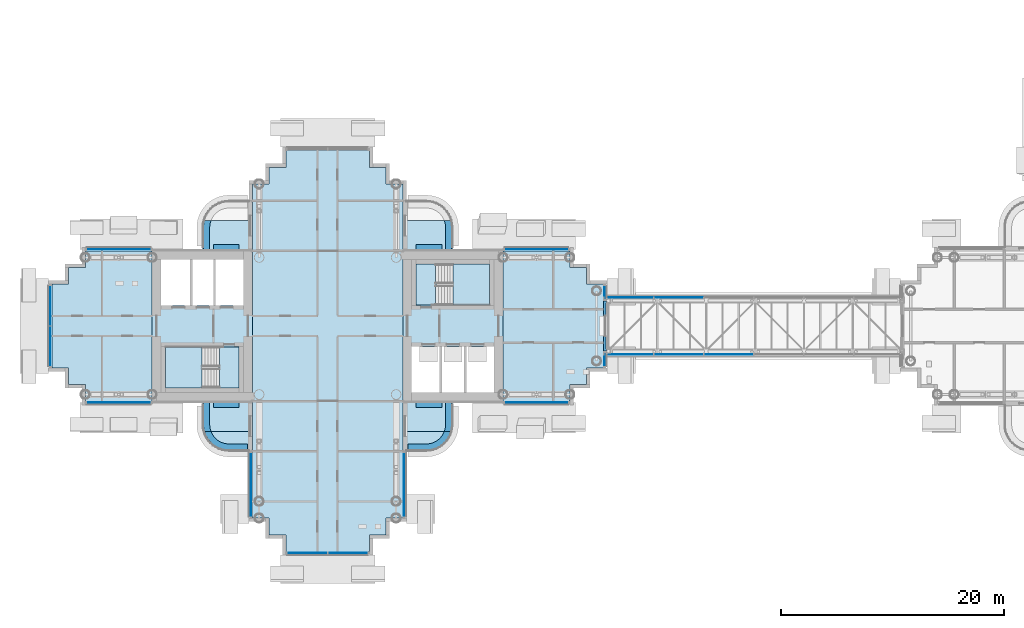
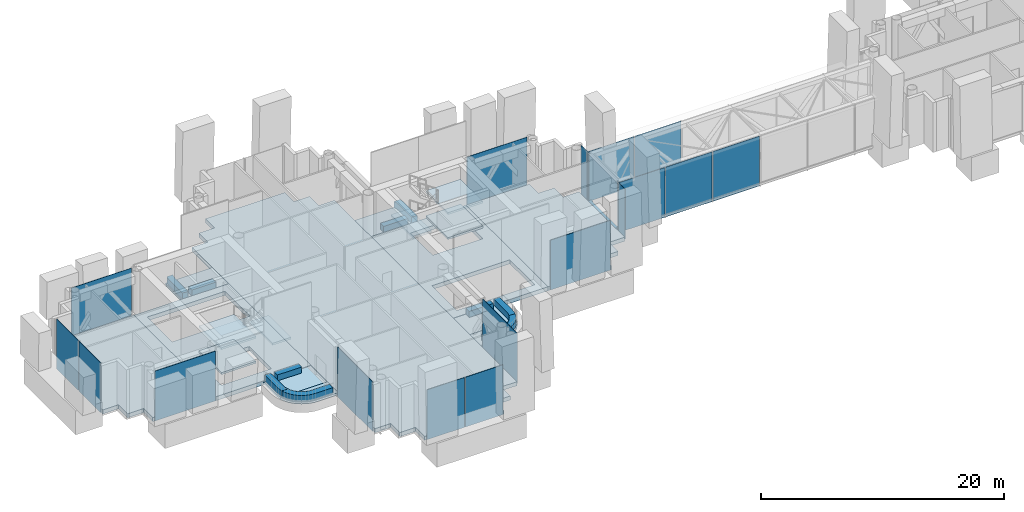
# One storey, part 9 of 34: 28 slabs, 17 plates, 14 elements without a shape of their own.
"""IFC4 building model written with IfcOpenShell, lengths in metres."""

from ifc_helpers import new_model, si_unit, direction, frame, origin, origin_2d, place, context, subcontext, project, spatial, polyline, rectangle, outline, extrude, material, layer, layer_set, type_object, element, aggregate, save


model = new_model("IFC4")

# Units and contexts
model_context = context("Model", 3, precision=1e-05, world=origin(), true_north=direction((0.0, 1.0)))
body_context = subcontext(model_context, "Body", "Model", "MODEL_VIEW")
ifc_project = project(units=[si_unit("LENGTHUNIT", "METRE"), si_unit("AREAUNIT", "SQUARE_METRE"), si_unit("VOLUMEUNIT", "CUBIC_METRE"), si_unit("PLANEANGLEUNIT", "RADIAN"), si_unit("MASSUNIT", "GRAM", prefix="KILO")], contexts=[model_context])

# Site, building, storey
site_placement = place(None, origin())
site = spatial("IfcSite", under=ifc_project, at=site_placement, CompositionType="ELEMENT")
building_placement = place(site_placement, origin())
building = spatial("IfcBuilding", under=site, at=building_placement, Name="Ipe Terrace Towers", CompositionType="ELEMENT")
storey_placement = place(building_placement, frame((0.0, 0.0, 128.699951171875)))
storey = spatial("IfcBuildingStorey", under=building, at=storey_placement, Name="L35", CompositionType="ELEMENT", Elevation=128.699951171875)

# Slabs
ifc_material_1 = material(Name="Concrete C30/37", Category="concrete")
ifc_layer_1 = layer(ifc_material_1, 0.199951171875)
ifc_layer_set_1 = layer_set([ifc_layer_1], Name="BALCONY SLAB 200")
slab_type_1 = type_object("IfcSlabType", Name="BALCONY SLAB 200", PredefinedType="FLOOR", material=ifc_layer_set_1)
slab_1_placement = place(storey_placement, frame((0.0, 0.0, -0.219970703125)))
element("IfcSlab", 1, at=slab_1_placement, inside=storey, type_object=slab_type_1, Name="balcony slab", PredefinedType="FLOOR", context=body_context, shape_type="SweptSolid", body=[
    extrude(outline(polyline([(-47.22900390625, -9.1630859375), (-47.172119140625, -9.449951171875), (-42.75, -9.449951171875), (-42.75, -6.75), (-47.25, -6.75), (-47.25, -8.85009765625), (-47.22900390625, -9.1630859375)])), origin(), (0.0, 0.0, 1.0), 0.199951171875),
])
slab_2_placement = place(storey_placement, frame((0.0, 0.0, -0.219970703125)))
element("IfcSlab", 2, at=slab_2_placement, inside=storey, type_object=slab_type_1, Name="balcony slab", PredefinedType="FLOOR", context=body_context, shape_type="SweptSolid", body=[
    extrude(outline(polyline([(-42.75, -11.25), (-42.75, -9.449951171875), (-47.172119140625, -9.449951171875), (-47.16796875, -9.470947265625), (-47.06689453125, -9.76806640625), (-46.927978515625, -10.050048828125), (-46.75390625, -10.31103515625), (-46.547119140625, -10.547119140625), (-46.31103515625, -10.75390625), (-46.050048828125, -10.927978515625), (-45.76806640625, -11.06689453125), (-45.470947265625, -11.16796875), (-45.1630859375, -11.22900390625), (-44.85009765625, -11.25), (-42.75, -11.25)])), origin(), (0.0, 0.0, 1.0), 0.199951171875),
])
slab_3_placement = place(storey_placement, frame((0.0, 0.0, -0.219970703125)))
element("IfcSlab", 3, at=slab_3_placement, inside=storey, type_object=slab_type_1, Name="balcony slab", PredefinedType="FLOOR", context=body_context, shape_type="SweptSolid", body=[
    extrude(outline(polyline([(-47.22900390625, 9.1630859375), (-47.25, 8.85009765625), (-47.25, 6.75), (-42.75, 6.75), (-42.75, 9.449951171875), (-47.172119140625, 9.449951171875), (-47.22900390625, 9.1630859375)])), origin(), (0.0, 0.0, 1.0), 0.199951171875),
])
slab_4_placement = place(storey_placement, frame((0.0, 0.0, -0.219970703125)))
element("IfcSlab", 4, at=slab_4_placement, inside=storey, type_object=slab_type_1, Name="balcony slab", PredefinedType="FLOOR", context=body_context, shape_type="SweptSolid", body=[
    extrude(outline(polyline([(-24.77099609375, -9.1630859375), (-24.75, -8.85009765625), (-24.75, -6.75), (-29.25, -6.75), (-29.25, -9.449951171875), (-24.827880859375, -9.449951171875), (-24.77099609375, -9.1630859375)])), origin(), (0.0, 0.0, 1.0), 0.199951171875),
])
slab_5_placement = place(storey_placement, frame((0.0, 0.0, -0.219970703125)))
element("IfcSlab", 5, at=slab_5_placement, inside=storey, type_object=slab_type_1, Name="balcony slab", PredefinedType="FLOOR", context=body_context, shape_type="SweptSolid", body=[
    extrude(outline(polyline([(-29.25, -11.25), (-27.14990234375, -11.25), (-26.8369140625, -11.22900390625), (-26.529052734375, -11.16796875), (-26.23193359375, -11.06689453125), (-25.949951171875, -10.927978515625), (-25.68896484375, -10.75390625), (-25.452880859375, -10.547119140625), (-25.24609375, -10.31103515625), (-25.072021484375, -10.050048828125), (-24.93310546875, -9.76806640625), (-24.83203125, -9.470947265625), (-24.827880859375, -9.449951171875), (-29.25, -9.449951171875), (-29.25, -11.25)])), origin(), (0.0, 0.0, 1.0), 0.199951171875),
])
slab_6_placement = place(storey_placement, frame((0.0, 0.0, -0.219970703125)))
element("IfcSlab", 6, at=slab_6_placement, inside=storey, type_object=slab_type_1, Name="balcony slab", PredefinedType="FLOOR", context=body_context, shape_type="SweptSolid", body=[
    extrude(outline(polyline([(-24.77099609375, 9.1630859375), (-24.827880859375, 9.449951171875), (-29.25, 9.449951171875), (-29.25, 6.75), (-24.75, 6.75), (-24.75, 8.85009765625), (-24.77099609375, 9.1630859375)])), origin(), (0.0, 0.0, 1.0), 0.199951171875),
])

# Curtain wall, plates
ifc_material_2 = material(Name="Aluminium alloy 6063-T6", Category="aluminium")
ifc_layer_2 = layer(ifc_material_2, 0.300048828125)
ifc_layer_set_2 = layer_set([ifc_layer_2], Name="BRIDGE ENCLOSURE CURTAIN WALL")
curtain_wall_type_1 = type_object("IfcCurtainWallType", Name="BRIDGE ENCLOSURE CURTAIN WALL", PredefinedType="NOTDEFINED", material=ifc_layer_set_2)
curtain_wall_1_placement = place(storey_placement, origin())
curtain_wall_1 = element("IfcCurtainWall", 7, at=curtain_wall_1_placement, inside=storey, type_object=curtain_wall_type_1, Name="BR2-CW1 curtain wall", PredefinedType="NOTDEFINED")
ifc_material_3 = material(Name="Glass, clear laminated", Category="glass")
ifc_layer_3 = layer(ifc_material_3, 0.035888671875)
ifc_layer_set_3 = layer_set([ifc_layer_3], Name="BRIDGE ENCLOSURE GLASS PANEL 36")
plate_type_1 = type_object("IfcPlateType", Name="BRIDGE ENCLOSURE GLASS PANEL 36", PredefinedType="CURTAIN_PANEL", material=ifc_layer_set_3)
plate_1_placement = place(storey_placement, frame((-4.482421875, 2.544921875, -0.300048828125), z_axis=(0.0, 0.0, 1.0), x_axis=(-1.0, 0.0, 0.0)))
plate_1 = element("IfcPlate", 8, at=plate_1_placement, type_object=plate_type_1, Name="BR2-CW1 panel 5", PredefinedType="CURTAIN_PANEL", context=body_context, shape_type="SweptSolid", body=[
    extrude(rectangle(XDim=4.418212890625, YDim=0.035888671875, at=origin_2d()), origin(), (0.0, 0.0, 1.0), 5.0),
])
plate_2_placement = place(storey_placement, frame((-8.970947265625, 2.544921875, -0.300048828125), z_axis=(0.0, 0.0, 1.0), x_axis=(-1.0, 0.0, 0.0)))
plate_2 = element("IfcPlate", 9, at=plate_2_placement, type_object=plate_type_1, Name="BR2-CW1 panel 6", PredefinedType="CURTAIN_PANEL", context=body_context, shape_type="SweptSolid", body=[
    extrude(rectangle(XDim=4.418212890625, YDim=0.035888671875, at=origin_2d()), origin(), (0.0, 0.0, 1.0), 5.0),
])
aggregate(curtain_wall_1, [plate_1, plate_2])

curtain_wall_2_placement = place(storey_placement, origin())
curtain_wall_2 = element("IfcCurtainWall", 10, at=curtain_wall_2_placement, inside=storey, type_object=curtain_wall_type_1, Name="BR2-CW2 curtain wall", PredefinedType="NOTDEFINED")
plate_3_placement = place(storey_placement, frame((-8.970947265625, -2.544921875, -0.300048828125), z_axis=(0.0, 0.0, 1.0), x_axis=(1.0, 0.0, 0.0)))
plate_3 = element("IfcPlate", 11, at=plate_3_placement, type_object=plate_type_1, Name="BR2-CW2 panel 1", PredefinedType="CURTAIN_PANEL", context=body_context, shape_type="SweptSolid", body=[
    extrude(rectangle(XDim=4.418212890625, YDim=0.035888671875, at=origin_2d()), origin(), (0.0, 0.0, 1.0), 5.0),
])
plate_4_placement = place(storey_placement, frame((-4.482421875, -2.544921875, -0.300048828125), z_axis=(0.0, 0.0, 1.0), x_axis=(1.0, 0.0, 0.0)))
plate_4 = element("IfcPlate", 12, at=plate_4_placement, type_object=plate_type_1, Name="BR2-CW2 panel 2", PredefinedType="CURTAIN_PANEL", context=body_context, shape_type="SweptSolid", body=[
    extrude(rectangle(XDim=4.418212890625, YDim=0.035888671875, at=origin_2d()), origin(), (0.0, 0.0, 1.0), 5.0),
])
plate_5_placement = place(storey_placement, frame((0.005859375, -2.544921875, -0.300048828125), z_axis=(0.0, 0.0, 1.0), x_axis=(1.0, 0.0, 0.0)))
plate_5 = element("IfcPlate", 13, at=plate_5_placement, type_object=plate_type_1, Name="BR2-CW2 panel 3", PredefinedType="CURTAIN_PANEL", context=body_context, shape_type="SweptSolid", body=[
    extrude(rectangle(XDim=4.418212890625, YDim=0.035888671875, at=origin_2d()), origin(), (0.0, 0.0, 1.0), 5.0),
])
aggregate(curtain_wall_2, [plate_3, plate_4, plate_5])

# Slabs
ifc_material_4 = material(Name="Concrete C30/37", Category="concrete")
ifc_layer_4 = layer(ifc_material_4, 0.39990234375)
ifc_layer_set_4 = layer_set([ifc_layer_4], Name="CORE FLOOR SLAB 400 C30-37")
slab_type_2 = type_object("IfcSlabType", Name="CORE FLOOR SLAB 400 C30-37", PredefinedType="FLOOR", material=ifc_layer_set_4)
slab_7_placement = place(storey_placement, frame((0.0, 0.0, -0.39990234375)))
element("IfcSlab", 14, at=slab_7_placement, inside=storey, type_object=slab_type_2, Name="Core floor T1-C1", PredefinedType="FLOOR", context=body_context, shape_type="SweptSolid", body=[
    extrude(outline(polyline([(-29.25, -6.75), (-29.25, 6.75), (-20.25, 6.75), (-20.25, -6.75), (-29.25, -6.75)]), holes=[polyline([(-28.449951171875, -5.949951171875), (-21.050048828125, -5.949951171875), (-21.050048828125, -1.85009765625), (-28.449951171875, -1.85009765625), (-28.449951171875, -5.949951171875)]), polyline([(-26.199951171875, 5.550048828125), (-26.199951171875, 1.89990234375), (-21.449951171875, 1.89990234375), (-21.449951171875, 5.550048828125), (-26.199951171875, 5.550048828125)])]), origin(), (0.0, 0.0, 1.0), 0.39990234375),
])
slab_8_placement = place(storey_placement, frame((0.0, 0.0, -0.39990234375)))
element("IfcSlab", 15, at=slab_8_placement, inside=storey, type_object=slab_type_2, Name="Core floor T1-C2", PredefinedType="FLOOR", context=body_context, shape_type="SweptSolid", body=[
    extrude(outline(polyline([(-51.75, -6.75), (-51.75, 6.75), (-42.75, 6.75), (-42.75, -6.75), (-51.75, -6.75)]), holes=[polyline([(-45.800048828125, -5.550048828125), (-45.800048828125, -1.89990234375), (-50.550048828125, -1.89990234375), (-50.550048828125, -5.550048828125), (-45.800048828125, -5.550048828125)]), polyline([(-50.949951171875, 1.85009765625), (-43.550048828125, 1.85009765625), (-43.550048828125, 5.949951171875), (-50.949951171875, 5.949951171875), (-50.949951171875, 1.85009765625)])]), origin(), (0.0, 0.0, 1.0), 0.39990234375),
])

# Stair, slabs
ifc_material_5 = material(Name="Concrete C30/37", Category="concrete")
stair_type = type_object("IfcStairType", Name="Protected exit stair", PredefinedType="HALF_TURN_STAIR", material=ifc_material_5)
stair_1_placement = place(storey_placement, origin())
stair_1 = element("IfcStair", 16, at=stair_1_placement, inside=storey, type_object=stair_type, Name="L35 Exit stair T1-C1", PredefinedType="HALF_TURN_STAIR")
ifc_material_6 = material(Name="Concrete C30/37", Category="concrete")
ifc_layer_5 = layer(ifc_material_6, 0.199951171875)
ifc_layer_set_5 = layer_set([ifc_layer_5], Name="Exit stair landing 200")
slab_type_3 = type_object("IfcSlabType", Name="Exit stair landing 200", PredefinedType="LANDING", material=ifc_layer_set_5)
slab_9_placement = place(storey_placement, frame((0.0, 0.0, 1.050048828125)))
slab_9 = element("IfcSlab", 17, at=slab_9_placement, type_object=slab_type_3, Name="T1-ST1 landing 1", PredefinedType="LANDING", context=body_context, shape_type="SweptSolid", body=[
    extrude(outline(polyline([(-24.739990234375, 1.89990234375), (-21.449951171875, 1.89990234375), (-21.449951171875, 5.550048828125), (-24.739990234375, 5.550048828125), (-24.739990234375, 1.89990234375)])), origin(), (0.0, 0.0, 1.0), 0.199951171875),
])
slab_10_placement = place(storey_placement, frame((0.0, 0.0, 2.300048828125)))
slab_10 = element("IfcSlab", 18, at=slab_10_placement, type_object=slab_type_3, Name="T1-ST1 landing 2", PredefinedType="LANDING", context=body_context, shape_type="SweptSolid", body=[
    extrude(outline(polyline([(-28.050048828125, 1.89990234375), (-26.300048828125, 1.89990234375), (-26.300048828125, 5.550048828125), (-28.050048828125, 5.550048828125), (-28.050048828125, 1.89990234375)])), origin(), (0.0, 0.0, 1.0), 0.199951171875),
])
slab_11_placement = place(storey_placement, frame((0.0, 0.0, 3.550048828125)))
slab_11 = element("IfcSlab", 19, at=slab_11_placement, type_object=slab_type_3, Name="T1-ST1 landing 3", PredefinedType="LANDING", context=body_context, shape_type="SweptSolid", body=[
    extrude(outline(polyline([(-24.739990234375, 1.89990234375), (-21.449951171875, 1.89990234375), (-21.449951171875, 5.550048828125), (-24.739990234375, 5.550048828125), (-24.739990234375, 1.89990234375)])), origin(), (0.0, 0.0, 1.0), 0.199951171875),
])
aggregate(stair_1, [slab_9, slab_10, slab_11])

stair_2_placement = place(storey_placement, origin())
stair_2 = element("IfcStair", 20, at=stair_2_placement, inside=storey, type_object=stair_type, Name="L35 Exit stair T1-C2", PredefinedType="HALF_TURN_STAIR")
slab_12_placement = place(storey_placement, frame((0.0, 0.0, 1.050048828125)))
slab_12 = element("IfcSlab", 21, at=slab_12_placement, type_object=slab_type_3, Name="T1-ST2 landing 1", PredefinedType="LANDING", context=body_context, shape_type="SweptSolid", body=[
    extrude(outline(polyline([(-47.260009765625, -1.89990234375), (-50.550048828125, -1.89990234375), (-50.550048828125, -5.550048828125), (-47.260009765625, -5.550048828125), (-47.260009765625, -1.89990234375)])), origin(), (0.0, 0.0, 1.0), 0.199951171875),
])
slab_13_placement = place(storey_placement, frame((0.0, 0.0, 2.300048828125)))
slab_13 = element("IfcSlab", 22, at=slab_13_placement, type_object=slab_type_3, Name="T1-ST2 landing 2", PredefinedType="LANDING", context=body_context, shape_type="SweptSolid", body=[
    extrude(outline(polyline([(-43.949951171875, -1.89990234375), (-45.699951171875, -1.89990234375), (-45.699951171875, -5.550048828125), (-43.949951171875, -5.550048828125), (-43.949951171875, -1.89990234375)])), origin(), (0.0, 0.0, 1.0), 0.199951171875),
])
slab_14_placement = place(storey_placement, frame((0.0, 0.0, 3.550048828125)))
slab_14 = element("IfcSlab", 23, at=slab_14_placement, type_object=slab_type_3, Name="T1-ST2 landing 3", PredefinedType="LANDING", context=body_context, shape_type="SweptSolid", body=[
    extrude(outline(polyline([(-47.260009765625, -1.89990234375), (-50.550048828125, -1.89990234375), (-50.550048828125, -5.550048828125), (-47.260009765625, -5.550048828125), (-47.260009765625, -1.89990234375)])), origin(), (0.0, 0.0, 1.0), 0.199951171875),
])
aggregate(stair_2, [slab_12, slab_13, slab_14])

# Slabs
ifc_material_7 = material(Name="Concrete C40/50", Category="concrete")
ifc_layer_6 = layer(ifc_material_7, 0.39990234375)
ifc_layer_set_6 = layer_set([ifc_layer_6], Name="FLAT PLATE SLAB 400 C40-50")
slab_type_4 = type_object("IfcSlabType", Name="FLAT PLATE SLAB 400 C40-50", PredefinedType="FLOOR", material=ifc_layer_set_6)
slab_15_placement = place(storey_placement, frame((0.0, 0.0, -0.39990234375)))
element("IfcSlab", 24, at=slab_15_placement, inside=storey, type_object=slab_type_4, Name="Slab T1-FS-Z31", PredefinedType="FLOOR", context=body_context, shape_type="SweptSolid", body=[
    extrude(outline(polyline([(-30.75, -17.25), (-30.75, -18.75), (-32.25, -18.75), (-32.25, -20.25), (-39.75, -20.25), (-39.75, -18.75), (-41.25, -18.75), (-41.25, -17.25), (-42.75, -17.25), (-42.75, -6.75), (-42.75, 6.75), (-42.75, 12.75), (-41.25, 12.75), (-41.25, 14.25), (-39.75, 14.25), (-39.75, 15.75), (-32.25, 15.75), (-32.25, 14.25), (-30.75, 14.25), (-30.75, 12.75), (-29.25, 12.75), (-29.25, 6.75), (-29.25, -6.75), (-29.25, -17.25), (-30.75, -17.25)])), origin(), (0.0, 0.0, 1.0), 0.39990234375),
])
slab_16_placement = place(storey_placement, frame((0.0, 0.0, -0.39990234375)))
element("IfcSlab", 25, at=slab_16_placement, inside=storey, type_object=slab_type_4, Name="Slab T1-FS-Z32", PredefinedType="FLOOR", context=body_context, shape_type="SweptSolid", body=[
    extrude(outline(polyline([(-57.75, -6.75), (-57.75, -5.25), (-59.25, -5.25), (-59.25, -3.75), (-60.75, -3.75), (-60.75, 3.75), (-59.25, 3.75), (-59.25, 5.25), (-57.75, 5.25), (-57.75, 6.75), (-51.75, 6.75), (-51.75, -6.75), (-57.75, -6.75)])), origin(), (0.0, 0.0, 1.0), 0.39990234375),
])
slab_17_placement = place(storey_placement, frame((0.0, 0.0, -0.39990234375)))
element("IfcSlab", 26, at=slab_17_placement, inside=storey, type_object=slab_type_4, Name="Slab T1-FS-Z33", PredefinedType="FLOOR", context=body_context, shape_type="SweptSolid", body=[
    extrude(outline(polyline([(-14.25, 5.25), (-12.75, 5.25), (-12.75, 3.75), (-11.25, 3.75), (-11.25, -3.75), (-12.75, -3.75), (-12.75, -5.25), (-14.25, -5.25), (-14.25, -6.75), (-20.25, -6.75), (-20.25, 6.75), (-14.25, 6.75), (-14.25, 5.25)])), origin(), (0.0, 0.0, 1.0), 0.39990234375),
])
slab_18_placement = place(storey_placement, frame((0.0, 0.0, -0.39990234375)))
element("IfcSlab", 27, at=slab_18_placement, inside=storey, type_object=slab_type_4, Name="Slab ledge", PredefinedType="FLOOR", context=body_context, shape_type="SweptSolid", body=[
    extrude(outline(polyline([(-11.25, 2.25), (-10.929931640625, 2.25), (-10.929931640625, 2.050048828125), (-11.0, 2.050048828125), (-11.0, -2.050048828125), (-10.929931640625, -2.050048828125), (-10.929931640625, -2.25), (-11.25, -2.25), (-11.25, 2.25)])), origin(), (0.0, 0.0, 1.0), 0.39990234375),
])
ifc_material_8 = material(Name="Concrete C30/37", Category="concrete")
ifc_layer_7 = layer(ifc_material_8, 0.60009765625)
ifc_layer_set_7 = layer_set([ifc_layer_7], Name="PLANTER TROUGH 550 x 600")
slab_type_5 = type_object("IfcSlabType", Name="PLANTER TROUGH 550 x 600", PredefinedType="USERDEFINED", material=ifc_layer_set_7)
slab_19_placement = place(storey_placement, frame((0.0, 0.0, -0.02001953125)))
element("IfcSlab", 28, at=slab_19_placement, inside=storey, type_object=slab_type_5, Name="planter", ObjectType="PLANTER", PredefinedType="USERDEFINED", context=body_context, shape_type="SweptSolid", body=[
    extrude(outline(polyline([(-46.529052734375, -9.300048828125), (-46.573974609375, -9.076904296875), (-46.590087890625, -8.827880859375), (-46.590087890625, -6.75), (-47.139892578125, -6.75), (-47.139892578125, -8.8369140625), (-47.138916015625, -8.85498046875), (-47.12109375, -9.131103515625), (-47.116943359375, -9.1669921875), (-47.06494140625, -9.425048828125), (-47.05908203125, -9.449951171875), (-46.47802734375, -9.449951171875), (-46.529052734375, -9.300048828125)])), origin(), (0.0, 0.0, 1.0), 0.60009765625),
])
slab_20_placement = place(storey_placement, frame((0.0, 0.0, -0.02001953125)))
element("IfcSlab", 29, at=slab_20_placement, inside=storey, type_object=slab_type_5, Name="planter", ObjectType="PLANTER", PredefinedType="USERDEFINED", context=body_context, shape_type="SweptSolid", body=[
    extrude(outline(polyline([(-46.4560546875, -9.514892578125), (-46.47802734375, -9.449951171875), (-47.05908203125, -9.449951171875), (-47.055908203125, -9.4599609375), (-46.970947265625, -9.708984375), (-46.95703125, -9.741943359375), (-46.841064453125, -9.97900390625), (-46.822998046875, -10.010009765625), (-46.677001953125, -10.22900390625), (-46.655029296875, -10.257080078125), (-46.48095703125, -10.4560546875), (-46.4560546875, -10.48095703125), (-46.257080078125, -10.655029296875), (-46.22900390625, -10.677001953125), (-46.010009765625, -10.822998046875), (-45.97900390625, -10.841064453125), (-45.741943359375, -10.95703125), (-45.708984375, -10.970947265625), (-45.4599609375, -11.055908203125), (-45.425048828125, -11.06494140625), (-45.1669921875, -11.116943359375), (-45.131103515625, -11.12109375), (-44.85498046875, -11.138916015625), (-44.8369140625, -11.139892578125), (-43.199951171875, -11.139892578125), (-43.199951171875, -10.590087890625), (-44.827880859375, -10.590087890625), (-45.076904296875, -10.573974609375), (-45.300048828125, -10.529052734375), (-45.514892578125, -10.4560546875), (-45.718994140625, -10.35595703125), (-45.907958984375, -10.22900390625), (-46.0791015625, -10.0791015625), (-46.22900390625, -9.907958984375), (-46.35595703125, -9.718994140625), (-46.4560546875, -9.514892578125)])), origin(), (0.0, 0.0, 1.0), 0.60009765625),
])
slab_21_placement = place(storey_placement, frame((0.0, 0.0, -0.02001953125)))
element("IfcSlab", 30, at=slab_21_placement, inside=storey, type_object=slab_type_5, Name="planter", ObjectType="PLANTER", PredefinedType="USERDEFINED", context=body_context, shape_type="SweptSolid", body=[
    extrude(outline(polyline([(-43.949951171875, -6.75), (-46.25, -6.75), (-46.25, -7.300048828125), (-43.949951171875, -7.300048828125), (-43.949951171875, -6.75)])), origin(), (0.0, 0.0, 1.0), 0.60009765625),
])
slab_22_placement = place(storey_placement, frame((0.0, 0.0, -0.02001953125)))
element("IfcSlab", 31, at=slab_22_placement, inside=storey, type_object=slab_type_5, Name="planter", ObjectType="PLANTER", PredefinedType="USERDEFINED", context=body_context, shape_type="SweptSolid", body=[
    extrude(outline(polyline([(-46.529052734375, 9.300048828125), (-46.47802734375, 9.449951171875), (-47.05908203125, 9.449951171875), (-47.06494140625, 9.425048828125), (-47.116943359375, 9.1669921875), (-47.12109375, 9.131103515625), (-47.138916015625, 8.85498046875), (-47.139892578125, 8.8369140625), (-47.139892578125, 6.75), (-46.590087890625, 6.75), (-46.590087890625, 8.827880859375), (-46.573974609375, 9.076904296875), (-46.529052734375, 9.300048828125)])), origin(), (0.0, 0.0, 1.0), 0.60009765625),
])
slab_23_placement = place(storey_placement, frame((0.0, 0.0, -0.02001953125)))
element("IfcSlab", 32, at=slab_23_placement, inside=storey, type_object=slab_type_5, Name="planter", ObjectType="PLANTER", PredefinedType="USERDEFINED", context=body_context, shape_type="SweptSolid", body=[
    extrude(outline(polyline([(-43.949951171875, 6.75), (-43.949951171875, 7.300048828125), (-46.25, 7.300048828125), (-46.25, 6.75), (-43.949951171875, 6.75)])), origin(), (0.0, 0.0, 1.0), 0.60009765625),
])
slab_24_placement = place(storey_placement, frame((0.0, 0.0, -0.02001953125)))
element("IfcSlab", 33, at=slab_24_placement, inside=storey, type_object=slab_type_5, Name="planter", ObjectType="PLANTER", PredefinedType="USERDEFINED", context=body_context, shape_type="SweptSolid", body=[
    extrude(outline(polyline([(-25.470947265625, -9.300048828125), (-25.52197265625, -9.449951171875), (-24.94091796875, -9.449951171875), (-24.93505859375, -9.425048828125), (-24.883056640625, -9.1669921875), (-24.87890625, -9.131103515625), (-24.861083984375, -8.85498046875), (-24.860107421875, -8.8369140625), (-24.860107421875, -6.75), (-25.409912109375, -6.75), (-25.409912109375, -8.827880859375), (-25.426025390625, -9.076904296875), (-25.470947265625, -9.300048828125)])), origin(), (0.0, 0.0, 1.0), 0.60009765625),
])
slab_25_placement = place(storey_placement, frame((0.0, 0.0, -0.02001953125)))
element("IfcSlab", 34, at=slab_25_placement, inside=storey, type_object=slab_type_5, Name="planter", ObjectType="PLANTER", PredefinedType="USERDEFINED", context=body_context, shape_type="SweptSolid", body=[
    extrude(outline(polyline([(-25.5439453125, -9.514892578125), (-25.64404296875, -9.718994140625), (-25.77099609375, -9.907958984375), (-25.9208984375, -10.0791015625), (-26.092041015625, -10.22900390625), (-26.281005859375, -10.35595703125), (-26.485107421875, -10.4560546875), (-26.699951171875, -10.529052734375), (-26.923095703125, -10.573974609375), (-27.172119140625, -10.590087890625), (-28.800048828125, -10.590087890625), (-28.800048828125, -11.139892578125), (-27.1630859375, -11.139892578125), (-27.14501953125, -11.138916015625), (-26.868896484375, -11.12109375), (-26.8330078125, -11.116943359375), (-26.574951171875, -11.06494140625), (-26.5400390625, -11.055908203125), (-26.291015625, -10.970947265625), (-26.258056640625, -10.95703125), (-26.02099609375, -10.841064453125), (-25.989990234375, -10.822998046875), (-25.77099609375, -10.677001953125), (-25.742919921875, -10.655029296875), (-25.5439453125, -10.48095703125), (-25.51904296875, -10.4560546875), (-25.344970703125, -10.257080078125), (-25.322998046875, -10.22900390625), (-25.177001953125, -10.010009765625), (-25.158935546875, -9.97900390625), (-25.04296875, -9.741943359375), (-25.029052734375, -9.708984375), (-24.944091796875, -9.4599609375), (-24.94091796875, -9.449951171875), (-25.52197265625, -9.449951171875), (-25.5439453125, -9.514892578125)])), origin(), (0.0, 0.0, 1.0), 0.60009765625),
])
slab_26_placement = place(storey_placement, frame((0.0, 0.0, -0.02001953125)))
element("IfcSlab", 35, at=slab_26_placement, inside=storey, type_object=slab_type_5, Name="planter", ObjectType="PLANTER", PredefinedType="USERDEFINED", context=body_context, shape_type="SweptSolid", body=[
    extrude(outline(polyline([(-28.050048828125, -6.75), (-28.050048828125, -7.300048828125), (-25.75, -7.300048828125), (-25.75, -6.75), (-28.050048828125, -6.75)])), origin(), (0.0, 0.0, 1.0), 0.60009765625),
])
slab_27_placement = place(storey_placement, frame((0.0, 0.0, -0.02001953125)))
element("IfcSlab", 36, at=slab_27_placement, inside=storey, type_object=slab_type_5, Name="planter", ObjectType="PLANTER", PredefinedType="USERDEFINED", context=body_context, shape_type="SweptSolid", body=[
    extrude(outline(polyline([(-25.470947265625, 9.300048828125), (-25.426025390625, 9.076904296875), (-25.409912109375, 8.827880859375), (-25.409912109375, 6.75), (-24.860107421875, 6.75), (-24.860107421875, 8.8369140625), (-24.861083984375, 8.85498046875), (-24.87890625, 9.131103515625), (-24.883056640625, 9.1669921875), (-24.93505859375, 9.425048828125), (-24.94091796875, 9.449951171875), (-25.52197265625, 9.449951171875), (-25.470947265625, 9.300048828125)])), origin(), (0.0, 0.0, 1.0), 0.60009765625),
])
slab_28_placement = place(storey_placement, frame((0.0, 0.0, -0.02001953125)))
element("IfcSlab", 37, at=slab_28_placement, inside=storey, type_object=slab_type_5, Name="planter", ObjectType="PLANTER", PredefinedType="USERDEFINED", context=body_context, shape_type="SweptSolid", body=[
    extrude(outline(polyline([(-28.050048828125, 6.75), (-25.75, 6.75), (-25.75, 7.300048828125), (-28.050048828125, 7.300048828125), (-28.050048828125, 6.75)])), origin(), (0.0, 0.0, 1.0), 0.60009765625),
])

# Curtain wall, plates
ifc_material_9 = material(Name="Aluminium alloy 6063-T6", Category="aluminium")
ifc_layer_8 = layer(ifc_material_9, 0.320068359375)
ifc_layer_set_8 = layer_set([ifc_layer_8], Name="REFUGE FLOOR CURTAIN WALL")
curtain_wall_type_2 = type_object("IfcCurtainWallType", Name="REFUGE FLOOR CURTAIN WALL", PredefinedType="NOTDEFINED", material=ifc_layer_set_8)
curtain_wall_3_placement = place(storey_placement, origin())
curtain_wall_3 = element("IfcCurtainWall", 38, at=curtain_wall_3_placement, inside=storey, type_object=curtain_wall_type_2, Name="T1-CW-L35-12a curtain wall", PredefinedType="NOTDEFINED")
ifc_material_10 = material(Name="Glass, clear laminated", Category="glass")
ifc_layer_9 = layer(ifc_material_10, 0.035888671875)
ifc_layer_set_9 = layer_set([ifc_layer_9], Name="REFUGE FLOOR GLASS PANEL 36")
plate_type_2 = type_object("IfcPlateType", Name="REFUGE FLOOR GLASS PANEL 36", PredefinedType="CURTAIN_PANEL", material=ifc_layer_set_9)
plate_6_placement = place(storey_placement, frame((-37.82373046875, -20.3701171875, -0.300048828125), z_axis=(0.0, 0.0, 1.0), x_axis=(1.0, 0.0, 0.0)))
plate_6 = element("IfcPlate", 39, at=plate_6_placement, type_object=plate_type_2, Name="T1-CW-L35-12a panel 1", PredefinedType="CURTAIN_PANEL", context=body_context, shape_type="SweptSolid", body=[
    extrude(rectangle(XDim=3.572509765625, YDim=0.035888671875, at=origin_2d()), origin(), (0.0, 0.0, 1.0), 5.0),
])
plate_7_placement = place(storey_placement, frame((-34.17626953125, -20.3701171875, -0.300048828125), z_axis=(0.0, 0.0, 1.0), x_axis=(1.0, 0.0, 0.0)))
plate_7 = element("IfcPlate", 40, at=plate_7_placement, type_object=plate_type_2, Name="T1-CW-L35-12a panel 2", PredefinedType="CURTAIN_PANEL", context=body_context, shape_type="SweptSolid", body=[
    extrude(rectangle(XDim=3.572509765625, YDim=0.035888671875, at=origin_2d()), origin(), (0.0, 0.0, 1.0), 5.0),
])
aggregate(curtain_wall_3, [plate_6, plate_7])

# Curtain wall, plate
curtain_wall_4_placement = place(storey_placement, origin())
curtain_wall_4 = element("IfcCurtainWall", 41, at=curtain_wall_4_placement, inside=storey, type_object=curtain_wall_type_2, Name="T1-CW-L35-25a curtain wall", PredefinedType="NOTDEFINED")
plate_8_placement = place(storey_placement, frame((-11.1298828125, -3.0, -0.300048828125), z_axis=(0.0, 0.0, 1.0), x_axis=(0.0, 1.0, 0.0)))
plate_8 = element("IfcPlate", 42, at=plate_8_placement, type_object=plate_type_2, Name="T1-CW-L35-25a panel 1", PredefinedType="CURTAIN_PANEL", context=body_context, shape_type="SweptSolid", body=[
    extrude(rectangle(XDim=1.219970703125, YDim=0.035888671875, at=origin_2d()), origin(), (0.0, 0.0, 1.0), 5.0),
])
aggregate(curtain_wall_4, [plate_8])

curtain_wall_5_placement = place(storey_placement, origin())
curtain_wall_5 = element("IfcCurtainWall", 43, at=curtain_wall_5_placement, inside=storey, type_object=curtain_wall_type_2, Name="T1-CW-L35-25c curtain wall", PredefinedType="NOTDEFINED")
plate_9_placement = place(storey_placement, frame((-11.1298828125, 3.0, -0.300048828125), z_axis=(0.0, 0.0, 1.0), x_axis=(0.0, 1.0, 0.0)))
plate_9 = element("IfcPlate", 44, at=plate_9_placement, type_object=plate_type_2, Name="T1-CW-L35-25c panel 1", PredefinedType="CURTAIN_PANEL", context=body_context, shape_type="SweptSolid", body=[
    extrude(rectangle(XDim=1.219970703125, YDim=0.035888671875, at=origin_2d()), origin(), (0.0, 0.0, 1.0), 5.0),
])
aggregate(curtain_wall_5, [plate_9])

# Curtain wall, plates
curtain_wall_6_placement = place(storey_placement, origin())
curtain_wall_6 = element("IfcCurtainWall", 45, at=curtain_wall_6_placement, inside=storey, type_object=curtain_wall_type_2, Name="T1-CW-L35-51a curtain wall", PredefinedType="NOTDEFINED")
plate_10_placement = place(storey_placement, frame((-60.8701171875, 1.82373046875, -0.300048828125), z_axis=(0.0, 0.0, 1.0), x_axis=(0.0, -1.0, 0.0)))
plate_10 = element("IfcPlate", 46, at=plate_10_placement, type_object=plate_type_2, Name="T1-CW-L35-51a panel 1", PredefinedType="CURTAIN_PANEL", context=body_context, shape_type="SweptSolid", body=[
    extrude(rectangle(XDim=3.572509765625, YDim=0.035888671875, at=origin_2d()), origin(), (0.0, 0.0, 1.0), 5.0),
])
plate_11_placement = place(storey_placement, frame((-60.8701171875, -1.82373046875, -0.300048828125), z_axis=(0.0, 0.0, 1.0), x_axis=(0.0, -1.0, 0.0)))
plate_11 = element("IfcPlate", 47, at=plate_11_placement, type_object=plate_type_2, Name="T1-CW-L35-51a panel 2", PredefinedType="CURTAIN_PANEL", context=body_context, shape_type="SweptSolid", body=[
    extrude(rectangle(XDim=3.572509765625, YDim=0.035888671875, at=origin_2d()), origin(), (0.0, 0.0, 1.0), 5.0),
])
aggregate(curtain_wall_6, [plate_10, plate_11])

# Curtain wall, plate
curtain_wall_7_placement = place(storey_placement, origin())
curtain_wall_7 = element("IfcCurtainWall", 48, at=curtain_wall_7_placement, inside=storey, type_object=curtain_wall_type_2, Name="T1-CW-L35-04a curtain wall", PredefinedType="NOTDEFINED")
ifc_material_11 = material(Name="Insulated spandrel panel, stone-effect cladding", Category="masonry")
ifc_layer_10 = layer(ifc_material_11, 0.035888671875)
ifc_layer_set_10 = layer_set([ifc_layer_10], Name="REFUGE FLOOR SPANDREL PANEL 36")
plate_type_3 = type_object("IfcPlateType", Name="REFUGE FLOOR SPANDREL PANEL 36", PredefinedType="CURTAIN_PANEL", material=ifc_layer_set_10)
plate_12_placement = place(storey_placement, frame((-54.75048828125, -6.8701171875, -0.300048828125), z_axis=(0.0, 0.0, 1.0), x_axis=(1.0, 0.0, 0.0)))
plate_12 = element("IfcPlate", 49, at=plate_12_placement, type_object=plate_type_3, Name="T1-CW-L35-04a panel 1", PredefinedType="CURTAIN_PANEL", context=body_context, shape_type="SweptSolid", body=[
    extrude(rectangle(XDim=5.718994140625, YDim=0.035888671875, at=origin_2d()), origin(), (0.0, 0.0, 1.0), 5.0),
])
aggregate(curtain_wall_7, [plate_12])

curtain_wall_8_placement = place(storey_placement, origin())
curtain_wall_8 = element("IfcCurtainWall", 50, at=curtain_wall_8_placement, inside=storey, type_object=curtain_wall_type_2, Name="T1-CW-L35-07a curtain wall", PredefinedType="NOTDEFINED")
plate_13_placement = place(storey_placement, frame((-42.8701171875, -14.25, -0.300048828125), z_axis=(0.0, 0.0, 1.0), x_axis=(0.0, -1.0, 0.0)))
plate_13 = element("IfcPlate", 51, at=plate_13_placement, type_object=plate_type_3, Name="T1-CW-L35-07a panel 1", PredefinedType="CURTAIN_PANEL", context=body_context, shape_type="SweptSolid", body=[
    extrude(rectangle(XDim=5.719970703125, YDim=0.035888671875, at=origin_2d()), origin(), (0.0, 0.0, 1.0), 5.0),
])
aggregate(curtain_wall_8, [plate_13])

curtain_wall_9_placement = place(storey_placement, origin())
curtain_wall_9 = element("IfcCurtainWall", 52, at=curtain_wall_9_placement, inside=storey, type_object=curtain_wall_type_2, Name="T1-CW-L35-17a curtain wall", PredefinedType="NOTDEFINED")
plate_14_placement = place(storey_placement, frame((-29.1298828125, -14.25, -0.300048828125), z_axis=(0.0, 0.0, 1.0), x_axis=(0.0, 1.0, 0.0)))
plate_14 = element("IfcPlate", 53, at=plate_14_placement, type_object=plate_type_3, Name="T1-CW-L35-17a panel 1", PredefinedType="CURTAIN_PANEL", context=body_context, shape_type="SweptSolid", body=[
    extrude(rectangle(XDim=5.719970703125, YDim=0.035888671875, at=origin_2d()), origin(), (0.0, 0.0, 1.0), 5.0),
])
aggregate(curtain_wall_9, [plate_14])

curtain_wall_10_placement = place(storey_placement, origin())
curtain_wall_10 = element("IfcCurtainWall", 54, at=curtain_wall_10_placement, inside=storey, type_object=curtain_wall_type_2, Name="T1-CW-L35-20b curtain wall", PredefinedType="NOTDEFINED")
plate_15_placement = place(storey_placement, frame((-17.24951171875, -6.8701171875, -0.300048828125), z_axis=(0.0, 0.0, 1.0), x_axis=(1.0, 0.0, 0.0)))
plate_15 = element("IfcPlate", 55, at=plate_15_placement, type_object=plate_type_3, Name="T1-CW-L35-20b panel 1", PredefinedType="CURTAIN_PANEL", context=body_context, shape_type="SweptSolid", body=[
    extrude(rectangle(XDim=5.718994140625, YDim=0.035888671875, at=origin_2d()), origin(), (0.0, 0.0, 1.0), 5.0),
])
aggregate(curtain_wall_10, [plate_15])

curtain_wall_11_placement = place(storey_placement, origin())
curtain_wall_11 = element("IfcCurtainWall", 56, at=curtain_wall_11_placement, inside=storey, type_object=curtain_wall_type_2, Name="T1-CW-L35-30a curtain wall", PredefinedType="NOTDEFINED")
plate_16_placement = place(storey_placement, frame((-17.24951171875, 6.8701171875, -0.300048828125), z_axis=(0.0, 0.0, 1.0), x_axis=(-1.0, 0.0, 0.0)))
plate_16 = element("IfcPlate", 57, at=plate_16_placement, type_object=plate_type_3, Name="T1-CW-L35-30a panel 1", PredefinedType="CURTAIN_PANEL", context=body_context, shape_type="SweptSolid", body=[
    extrude(rectangle(XDim=5.718994140625, YDim=0.035888671875, at=origin_2d()), origin(), (0.0, 0.0, 1.0), 5.0),
])
aggregate(curtain_wall_11, [plate_16])

curtain_wall_12_placement = place(storey_placement, origin())
curtain_wall_12 = element("IfcCurtainWall", 58, at=curtain_wall_12_placement, inside=storey, type_object=curtain_wall_type_2, Name="T1-CW-L35-46b curtain wall", PredefinedType="NOTDEFINED")
plate_17_placement = place(storey_placement, frame((-54.75048828125, 6.8701171875, -0.300048828125), z_axis=(0.0, 0.0, 1.0), x_axis=(-1.0, 0.0, 0.0)))
plate_17 = element("IfcPlate", 59, at=plate_17_placement, type_object=plate_type_3, Name="T1-CW-L35-46b panel 1", PredefinedType="CURTAIN_PANEL", context=body_context, shape_type="SweptSolid", body=[
    extrude(rectangle(XDim=5.718994140625, YDim=0.035888671875, at=origin_2d()), origin(), (0.0, 0.0, 1.0), 5.0),
])
aggregate(curtain_wall_12, [plate_17])

save(model, "model.ifc")
